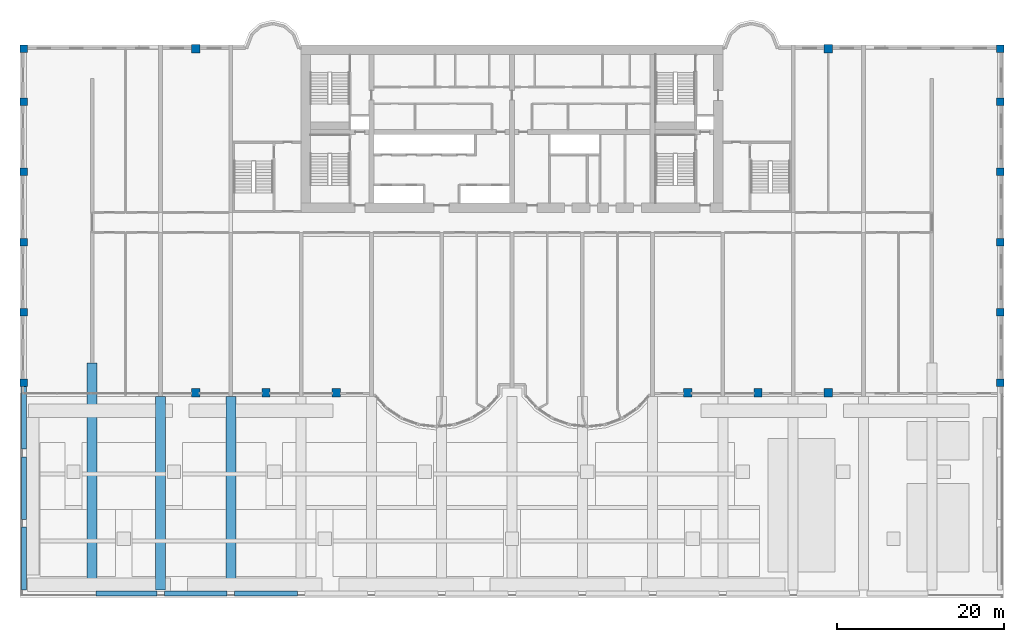
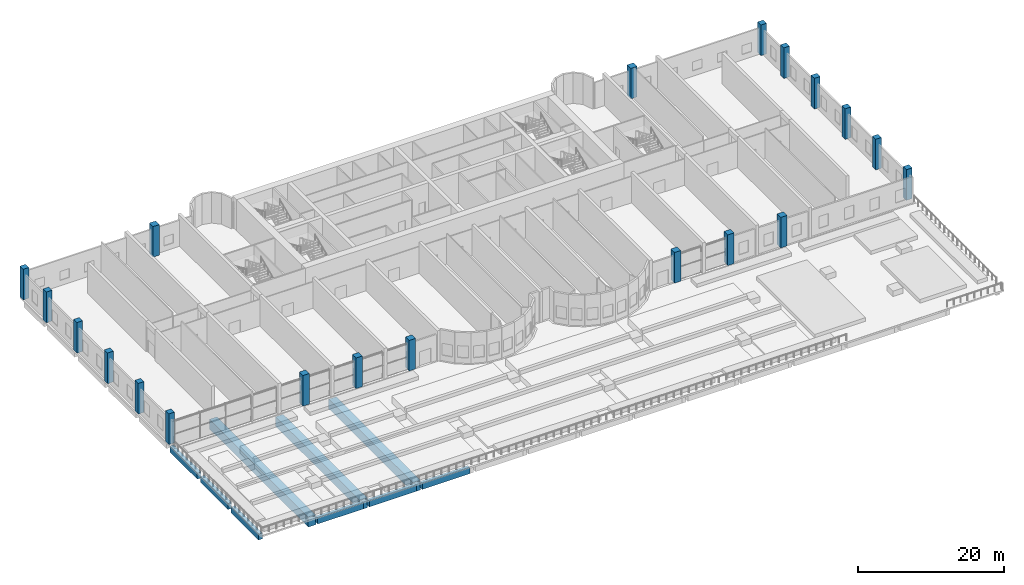
# One storey, part 1 of 20: 20 columns, 9 beams.
"""IFC4 building model written with IfcOpenShell, lengths in metres."""

import ifcopenshell
import ifcopenshell.guid

model = None  # the IFC model being written
_history = None  # IfcOwnerHistory: only IFC2X3 demands one
_inside = {}  # id of a spatial element -> (the spatial element, [elements in it])
_under = {}  # id of a project, library or spatial element -> (it, [spatial elements below it])
_declared = {}  # id of a project -> (the project, [libraries it declares])
_typed = {}  # id of a type object -> (the type object, [elements of that type])
_made_of = {}  # id of a material, layer set ... -> (it, [elements and type objects made of it])


def new_model(schema):
    """Start an empty IFC model of exactly this schema.

    Asked for "IFC4X3", IfcOpenShell would pick the latest addendum, in which some entities
    have other attributes; the version numbers below select the first issue.
    IFC2X3 requires an IfcOwnerHistory on every rooted entity: one is made here for all.
    """
    global model, _history
    if schema == "IFC4X3":
        model = ifcopenshell.file(schema_version=(4, 3, 0, 0))
    else:
        model = ifcopenshell.file(schema=schema)
    _inside.clear()
    _under.clear()
    _declared.clear()
    _typed.clear()
    _made_of.clear()
    _history = None
    if model.schema == "IFC2X3":
        org = make("IfcOrganization", Name="unknown")
        user = make(
            "IfcPersonAndOrganization",
            ThePerson=make("IfcPerson", FamilyName="unknown"),
            TheOrganization=org,
        )
        app = make(
            "IfcApplication",
            ApplicationDeveloper=org,
            Version="unknown",
            ApplicationFullName="unknown",
            ApplicationIdentifier="unknown",
        )
        _history = make(
            "IfcOwnerHistory",
            OwningUser=user,
            OwningApplication=app,
            ChangeAction="ADDED",
            CreationDate=0,
        )
    return model


def make(cls, **values):
    """One entity of the class cls with the attributes given. An attribute that is None is left unset."""
    return model.create_entity(
        cls, **{name: value for name, value in values.items() if value is not None}
    )


def rooted(cls, **values):
    """An entity with a GlobalId (a new one), such as an element, a storey or a relation."""
    return make(cls, GlobalId=ifcopenshell.guid.new(), OwnerHistory=_history, **values)


def si_unit(unit_type, name, prefix=None):
    """IfcSIUnit, for example si_unit("LENGTHUNIT", "METRE", prefix="MILLI")."""
    return make("IfcSIUnit", UnitType=unit_type, Prefix=prefix, Name=name)


def assignment(units):
    """IfcUnitAssignment: the units of a project."""
    return None if units is None else make("IfcUnitAssignment", Units=units)


def point(xyz):
    """IfcCartesianPoint."""
    return None if xyz is None else make("IfcCartesianPoint", Coordinates=xyz)


def direction(xyz):
    """IfcDirection."""
    return None if xyz is None else make("IfcDirection", DirectionRatios=xyz)


def frame(location, z_axis=None, x_axis=None):
    """IfcAxis2Placement3D, a coordinate frame: its origin and axes. An axis left out is left unset."""
    return make(
        "IfcAxis2Placement3D",
        Location=point(location),
        Axis=direction(z_axis),
        RefDirection=direction(x_axis),
    )


def frame_2d(location, x_axis=None):
    """IfcAxis2Placement2D, a coordinate frame in the plane: its origin and x axis."""
    return make(
        "IfcAxis2Placement2D", Location=point(location), RefDirection=direction(x_axis)
    )


def origin():
    """The frame at (0, 0, 0) with its axes left unset."""
    return frame((0.0, 0.0, 0.0))


def origin_2d():
    """The frame at (0, 0) in the plane with its x axis left unset."""
    return frame_2d((0.0, 0.0))


def place(relative_to, where):
    """IfcLocalPlacement: puts the frame where relative to a parent placement (None: the world)."""
    return make(
        "IfcLocalPlacement", PlacementRelTo=relative_to, RelativePlacement=where
    )


def context(
    kind, dimensions, precision=None, world=None, true_north=None, identifier=None
):
    """IfcGeometricRepresentationContext, for example the 3D "Model" context."""
    return make(
        "IfcGeometricRepresentationContext",
        ContextIdentifier=identifier,
        ContextType=kind,
        CoordinateSpaceDimension=dimensions,
        Precision=precision,
        WorldCoordinateSystem=world,
        TrueNorth=true_north,
    )


def subcontext(parent, identifier, kind, view, scale=None):
    """IfcGeometricRepresentationSubContext, for example "Body" below "Model"."""
    return make(
        "IfcGeometricRepresentationSubContext",
        ContextIdentifier=identifier,
        ContextType=kind,
        ParentContext=parent,
        TargetScale=scale,
        TargetView=view,
    )


def project(units=None, contexts=None):
    """IfcProject with its units and contexts."""
    return rooted(
        "IfcProject",
        Name="project",
        RepresentationContexts=contexts,
        UnitsInContext=assignment(units),
    )


def spatial(cls, under=None, at=None, **own):
    """A site, building, storey or space (cls), placed at a placement, below another one or the project."""
    s = rooted(cls, ObjectPlacement=at, **own)
    if under is not None:
        _under.setdefault(under.id(), (under, []))[1].append(s)
    return s


def profile(cls, at=None, kind="AREA", **sizes):
    """A parametric profile (cls). Its sizes go by their IFC names, for example OverallWidth=200.0."""
    return make(cls, ProfileType=kind, Position=at, **sizes)


def rectangle(**sizes):
    """IfcRectangleProfileDef."""
    return profile("IfcRectangleProfileDef", **sizes)


def extrude(swept, where, along, depth):
    """IfcExtrudedAreaSolid: the profile swept, set in the frame where, extruded along a direction by depth."""
    return make(
        "IfcExtrudedAreaSolid",
        SweptArea=swept,
        Position=where,
        ExtrudedDirection=direction(along),
        Depth=depth,
    )


def shape(context_of_items, identifier, shape_type, items):
    """IfcShapeRepresentation: the items that make up one representation, for example the "Body"."""
    return make(
        "IfcShapeRepresentation",
        ContextOfItems=context_of_items,
        RepresentationIdentifier=identifier,
        RepresentationType=shape_type,
        Items=items,
    )


def source(mapping_origin, context_of_items, identifier, shape_type, items):
    """IfcRepresentationMap: a shape defined once, which mapped items show again and again."""
    return make(
        "IfcRepresentationMap",
        MappingOrigin=mapping_origin,
        MappedRepresentation=shape(context_of_items, identifier, shape_type, items),
    )


def transform(
    local_origin,
    x_axis=None,
    y_axis=None,
    z_axis=None,
    scale=None,
    scale2=None,
    scale3=None,
    uniform=True,
):
    """IfcCartesianTransformationOperator3D, or its non-uniform kind. x_axis, y_axis, z_axis: its Axis1, 2, 3."""
    if uniform:
        return make(
            "IfcCartesianTransformationOperator3D",
            Axis1=direction(x_axis),
            Axis2=direction(y_axis),
            LocalOrigin=point(local_origin),
            Scale=scale,
            Axis3=direction(z_axis),
        )
    return make(
        "IfcCartesianTransformationOperator3DnonUniform",
        Axis1=direction(x_axis),
        Axis2=direction(y_axis),
        LocalOrigin=point(local_origin),
        Scale=scale,
        Axis3=direction(z_axis),
        Scale2=scale2,
        Scale3=scale3,
    )


def mapped(mapping_source, mapping_target):
    """IfcMappedItem: shows the shape of a source again, moved by a transform."""
    return make(
        "IfcMappedItem", MappingSource=mapping_source, MappingTarget=mapping_target
    )


def material(Name=None, Category=None):
    """IfcMaterial."""
    return make("IfcMaterial", Name=Name, Category=Category)


def material_profile(
    of_material, cross_section, Name=None, Category=None, Priority=None
):
    """IfcMaterialProfile: a cross section and its material."""
    return make(
        "IfcMaterialProfile",
        Name=Name,
        Material=of_material,
        Profile=cross_section,
        Priority=Priority,
        Category=Category,
    )


def profile_set(profiles, Name=None, composite=None):
    """IfcMaterialProfileSet."""
    return make(
        "IfcMaterialProfileSet",
        Name=Name,
        MaterialProfiles=profiles,
        CompositeProfile=composite,
    )


def made_of(thing, what):
    """Note that an element or type object is made of a material, layer set ...; save() writes the relation."""
    if what is not None:
        _made_of.setdefault(what.id(), (what, []))[1].append(thing)
    return thing


def type_object(cls, material=None, **own):
    """A type object (cls), such as IfcWallType, which elements share."""
    return made_of(rooted(cls, **own), material)


def element(
    cls,
    number,
    at=None,
    inside=None,
    cuts=None,
    type_object=None,
    material=None,
    context=None,
    identifier="Body",
    shape_type=None,
    held_by="IfcProductDefinitionShape",
    body=None,
    shapes=None,
    **own,
):
    """One element of the class cls, such as IfcWall. Its Tag is "e" and its number.

    at: its placement. inside: the storey or other place that contains it. cuts: it is an
    opening in that element (IfcRelVoidsElement). A single representation is given by context,
    identifier, shape_type and body (its items); several are given by shapes. held_by: the class
    of the entity that holds the representations. save() writes the other relations.
    """
    e = rooted(cls, Tag="e%d" % number, ObjectPlacement=at, **own)
    if body is not None:
        shapes = [shape(context, identifier, shape_type, body)]
    if shapes is not None:
        e.Representation = make(held_by, Representations=shapes)
    if inside is not None:
        _inside.setdefault(inside.id(), (inside, []))[1].append(e)
    if cuts is not None:
        rooted(
            "IfcRelVoidsElement", RelatingBuildingElement=cuts, RelatedOpeningElement=e
        )
    if type_object is not None:
        _typed.setdefault(type_object.id(), (type_object, []))[1].append(e)
    return made_of(e, material)


def aggregate(whole, parts):
    """IfcRelAggregates: a whole, such as a stair, and the parts it consists of."""
    return rooted("IfcRelAggregates", RelatingObject=whole, RelatedObjects=parts)


def save(model, path):
    """Write the relations noted so far, then the file.

    IfcRelAggregates (storeys below a building ...), IfcRelContainedInSpatialStructure (elements
    in a storey), IfcRelDefinesByType, IfcRelAssociatesMaterial and IfcRelDeclares: one each for
    every whole, place, type object, material and project.
    """
    for whole, parts in _under.values():
        aggregate(whole, parts)
    for where, things in _inside.values():
        rooted(
            "IfcRelContainedInSpatialStructure",
            RelatedElements=things,
            RelatingStructure=where,
        )
    for kind, things in _typed.values():
        rooted("IfcRelDefinesByType", RelatedObjects=things, RelatingType=kind)
    for what, things in _made_of.values():
        rooted("IfcRelAssociatesMaterial", RelatedObjects=things, RelatingMaterial=what)
    for by, libraries in _declared.values():
        rooted("IfcRelDeclares", RelatingContext=by, RelatedDefinitions=libraries)
    model.write(path)


model = new_model("IFC4")

# Units and contexts
model_context = context("Model", 3, precision=1e-05, world=origin(), true_north=direction((0.0, 1.0)))
body_context = subcontext(model_context, "Body", "Model", "MODEL_VIEW")
ifc_project = project(units=[si_unit("LENGTHUNIT", "METRE"), si_unit("AREAUNIT", "SQUARE_METRE"), si_unit("VOLUMEUNIT", "CUBIC_METRE"), si_unit("PLANEANGLEUNIT", "RADIAN"), si_unit("MASSUNIT", "GRAM", prefix="KILO")], contexts=[model_context])

# Site, building, storey
site_placement = place(None, origin())
site = spatial("IfcSite", under=ifc_project, at=site_placement, CompositionType="ELEMENT")
building_placement = place(site_placement, origin())
building = spatial("IfcBuilding", under=site, at=building_placement, Name="Vanashikhar Sky Hotel", CompositionType="ELEMENT")
storey_placement = place(building_placement, frame((0.0, 0.0, 6.0)))
storey = spatial("IfcBuildingStorey", under=building, at=storey_placement, Name="L01", CompositionType="ELEMENT", Elevation=6.0)

# Columns
ifc_material_1 = material(Name="Concrete M70", Category="concrete")
ifc_material_profile_1 = material_profile(ifc_material_1, rectangle(XDim=1.0, YDim=1.0, at=origin_2d()))
ifc_profile_set_1 = profile_set([ifc_material_profile_1], Name="RC 1000x1000 column Concrete M70")
column_type_1 = type_object("IfcColumnType", Name="RC 1000x1000 column Concrete M70", PredefinedType="COLUMN", material=ifc_profile_set_1)
shared_shape_1 = source(origin(), body_context, "Body", "SweptSolid", [
    extrude(rectangle(XDim=1.0, YDim=1.0, at=origin_2d()), origin(), (0.0, 0.0, 1.0), 5.1201171875),
])
for number, where, z_axis, x_axis, name in (
    (1, (12.60009765625, 0.449951171875, 0.0), (0.0, 0.0, 1.0), (1.0, 0.0, 0.0), "CL-L01-CF02"),
    (2, (21.0, 0.449951171875, 0.0), (0.0, 0.0, 1.0), (1.0, 0.0, 0.0), "CL-L01-CF03"),
    (3, (29.39990234375, 0.449951171875, 0.0), (0.0, 0.0, 1.0), (1.0, 0.0, 0.0), "CL-L01-CF04"),
    (4, (71.39990234375, 0.449951171875, 0.0), (0.0, 0.0, 1.0), (1.0, 0.0, 0.0), "CL-L01-CF09"),
    (5, (79.800048828125, 0.449951171875, 0.0), (0.0, 0.0, 1.0), (1.0, 0.0, 0.0), "CL-L01-CF10"),
    (6, (88.199951171875, 0.449951171875, 0.0), (0.0, 0.0, 1.0), (1.0, 0.0, 0.0), "CL-L01-CF11"),
    (7, (12.60009765625, 41.550048828125, 0.0), (0.0, 0.0, 1.0), (1.0, 0.0, 0.0), "CL-L01-CR02"),
    (8, (88.199951171875, 41.550048828125, 0.0), (0.0, 0.0, 1.0), (1.0, 0.0, 0.0), "CL-L01-CR11"),
):
    element("IfcColumn", number, at=place(storey_placement, frame(where, z_axis=z_axis, x_axis=x_axis)), inside=storey, type_object=column_type_1, Name=name, PredefinedType="COLUMN", context=body_context, shape_type="MappedRepresentation", body=[
        mapped(shared_shape_1, transform((0.0, 0.0, 0.0), scale=1.0)),
    ])
ifc_material_profile_2 = material_profile(ifc_material_1, rectangle(XDim=0.89990234375, YDim=0.89990234375, at=origin_2d()))
ifc_profile_set_2 = profile_set([ifc_material_profile_2], Name="RC 900x900 column Concrete M70")
column_type_2 = type_object("IfcColumnType", Name="RC 900x900 column Concrete M70", PredefinedType="COLUMN", material=ifc_profile_set_2)
shared_shape_2 = source(origin(), body_context, "Body", "SweptSolid", [
    extrude(rectangle(XDim=0.89990234375, YDim=0.89990234375, at=origin_2d()), origin(), (0.0, 0.0, 1.0), 5.1201171875),
])
for number, where, z_axis, x_axis, name in (
    (9, (-7.949951171875, 1.64990234375, 0.0), (0.0, 0.0, 1.0), (1.0, 0.0, 0.0), "CL-L01-CAW01"),
    (10, (108.75, 1.64990234375, 0.0), (0.0, 0.0, 1.0), (1.0, 0.0, 0.0), "CL-L01-CAE01"),
    (11, (-7.949951171875, 10.050048828125, 0.0), (0.0, 0.0, 1.0), (1.0, 0.0, 0.0), "CL-L01-CAW02"),
    (12, (108.75, 10.050048828125, 0.0), (0.0, 0.0, 1.0), (1.0, 0.0, 0.0), "CL-L01-CAE02"),
    (13, (-7.949951171875, 18.449951171875, 0.0), (0.0, 0.0, 1.0), (1.0, 0.0, 0.0), "CL-L01-CAW03"),
    (14, (108.75, 18.449951171875, 0.0), (0.0, 0.0, 1.0), (1.0, 0.0, 0.0), "CL-L01-CAE03"),
    (15, (-7.949951171875, 26.85009765625, 0.0), (0.0, 0.0, 1.0), (1.0, 0.0, 0.0), "CL-L01-CAW04"),
    (16, (108.75, 26.85009765625, 0.0), (0.0, 0.0, 1.0), (1.0, 0.0, 0.0), "CL-L01-CAE04"),
    (17, (-7.949951171875, 35.25, 0.0), (0.0, 0.0, 1.0), (1.0, 0.0, 0.0), "CL-L01-CAW05"),
    (18, (108.75, 35.25, 0.0), (0.0, 0.0, 1.0), (1.0, 0.0, 0.0), "CL-L01-CAE05"),
    (19, (-7.949951171875, 41.550048828125, 0.0), (0.0, 0.0, 1.0), (1.0, 0.0, 0.0), "CL-L01-CAW06"),
    (20, (108.75, 41.550048828125, 0.0), (0.0, 0.0, 1.0), (1.0, 0.0, 0.0), "CL-L01-CAE06"),
):
    element("IfcColumn", number, at=place(storey_placement, frame(where, z_axis=z_axis, x_axis=x_axis)), inside=storey, type_object=column_type_2, Name=name, PredefinedType="COLUMN", context=body_context, shape_type="MappedRepresentation", body=[
        mapped(shared_shape_2, transform((0.0, 0.0, 0.0), scale=1.0)),
    ])

# Beams
ifc_material_2 = material(Name="Concrete M50", Category="concrete")
ifc_material_profile_3 = material_profile(ifc_material_2, rectangle(XDim=0.60009765625, YDim=1.0, at=origin_2d()))
ifc_profile_set_3 = profile_set([ifc_material_profile_3], Name="RC 600x1000 beam Concrete M50")
beam_type_1 = type_object("IfcBeamType", Name="RC 600x1000 beam Concrete M50", PredefinedType="SPANDREL", material=ifc_profile_set_3)
shared_shape_3 = source(origin(), body_context, "Body", "SweptSolid", [
    extrude(rectangle(XDim=0.60009765625, YDim=1.0, at=origin_2d()), origin(), (0.0, 0.0, 1.0), 7.5),
])
for number, where, z_axis, x_axis, name in (
    (21, (-7.949951171875, -23.10009765625, -0.780029296875), (0.0, 1.0, 0.0), (-1.0, 0.0, 0.0), "EB-L01-A101"),
    (22, (-7.949951171875, -14.699951171875, -0.780029296875), (0.0, 1.0, 0.0), (-1.0, 0.0, 0.0), "EB-L01-A102"),
    (23, (-7.949951171875, -6.300048828125, -0.780029296875), (0.0, 1.0, 0.0), (-1.0, 0.0, 0.0), "EB-L01-A103"),
    (24, (8.85009765625, -23.550048828125, -0.780029296875), (1.0, 0.0, 0.0), (0.0, 1.0, 0.0), "EB-L01-D02"),
    (25, (17.25, -23.550048828125, -0.780029296875), (1.0, 0.0, 0.0), (0.0, 1.0, 0.0), "EB-L01-D03"),
):
    element("IfcBeam", number, at=place(storey_placement, frame(where, z_axis=z_axis, x_axis=x_axis)), inside=storey, type_object=beam_type_1, Name=name, PredefinedType="SPANDREL", context=body_context, shape_type="MappedRepresentation", body=[
        mapped(shared_shape_3, transform((0.0, 0.0, 0.0), scale=1.0)),
    ])
ifc_material_profile_4 = material_profile(ifc_material_2, rectangle(XDim=1.199951171875, YDim=1.60009765625, at=origin_2d()))
ifc_profile_set_4 = profile_set([ifc_material_profile_4], Name="RC 1200x1600 beam Concrete M50")
beam_type_2 = type_object("IfcBeamType", Name="RC 1200x1600 beam Concrete M50", PredefinedType="BEAM", material=ifc_profile_set_4)
shared_shape_4 = source(origin(), body_context, "Body", "SweptSolid", [
    extrude(rectangle(XDim=1.199951171875, YDim=1.60009765625, at=origin_2d()), origin(), (0.0, 0.0, 1.0), 27.10009765625),
])
beam_1_placement = place(storey_placement, frame((0.22509765625, -23.10009765625, -1.080078125), z_axis=(0.0, 1.0, 0.0), x_axis=(-1.0, 0.0, 0.0)))
element("IfcBeam", 26, at=beam_1_placement, inside=storey, type_object=beam_type_2, Name="TG-L01-01", PredefinedType="BEAM", context=body_context, shape_type="MappedRepresentation", body=[
    mapped(shared_shape_4, transform((0.0, 0.0, 0.0), scale=1.0)),
])
shared_shape_5 = source(origin(), body_context, "Body", "SweptSolid", [
    extrude(rectangle(XDim=1.199951171875, YDim=1.60009765625, at=origin_2d()), origin(), (0.0, 0.0, 1.0), 23.10009765625),
])
for number, where, z_axis, x_axis, name in (
    (27, (8.39990234375, -23.10009765625, -1.080078125), (0.0, 1.0, 0.0), (-1.0, 0.0, 0.0), "TG-L01-02"),
    (28, (16.800048828125, -23.10009765625, -1.080078125), (0.0, 1.0, 0.0), (-1.0, 0.0, 0.0), "TG-L01-03"),
):
    element("IfcBeam", number, at=place(storey_placement, frame(where, z_axis=z_axis, x_axis=x_axis)), inside=storey, type_object=beam_type_2, Name=name, PredefinedType="BEAM", context=body_context, shape_type="MappedRepresentation", body=[
        mapped(shared_shape_5, transform((0.0, 0.0, 0.0), scale=1.0)),
    ])
shared_shape_6 = source(origin(), body_context, "Body", "SweptSolid", [
    extrude(rectangle(XDim=0.60009765625, YDim=1.0, at=origin_2d()), origin(), (0.0, 0.0, 1.0), 7.27490234375),
])
beam_2_placement = place(storey_placement, frame((0.675048828125, -23.550048828125, -0.780029296875), z_axis=(1.0, 0.0, 0.0), x_axis=(0.0, 1.0, 0.0)))
element("IfcBeam", 29, at=beam_2_placement, inside=storey, type_object=beam_type_1, Name="EB-L01-D01", PredefinedType="SPANDREL", context=body_context, shape_type="MappedRepresentation", body=[
    mapped(shared_shape_6, transform((0.0, 0.0, 0.0), scale=1.0)),
])

save(model, "model.ifc")
